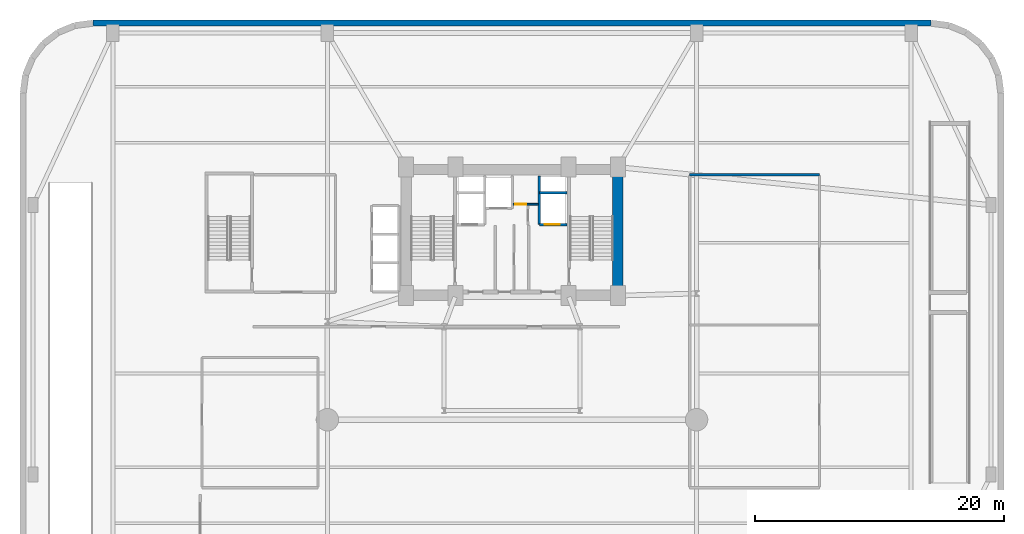
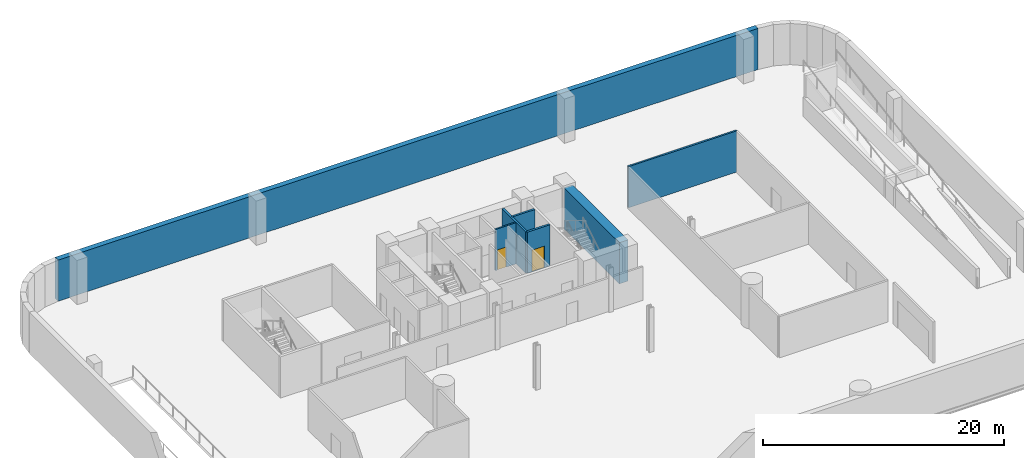
# One storey, part 4 of 8: 7 walls, 2 doors, 2 openings.
"""IFC4 building model written with IfcOpenShell, lengths in metres."""

from ifc_helpers import new_model, si_unit, direction, frame, frame_2d, origin, place, context, subcontext, project, spatial, rectangle, extrude, material, layer, layer_set, type_object, element, fill, save


model = new_model("IFC4")

# Units and contexts
model_context = context("Model", 3, precision=1e-05, world=origin(), true_north=direction((0.0, 1.0)))
body_context = subcontext(model_context, "Body", "Model", "MODEL_VIEW")
ifc_project = project(units=[si_unit("LENGTHUNIT", "METRE"), si_unit("AREAUNIT", "SQUARE_METRE"), si_unit("VOLUMEUNIT", "CUBIC_METRE"), si_unit("PLANEANGLEUNIT", "RADIAN"), si_unit("MASSUNIT", "GRAM", prefix="KILO")], contexts=[model_context])

# Site, building, storey
site_placement = place(None, origin())
site = spatial("IfcSite", under=ifc_project, at=site_placement, CompositionType="ELEMENT")
building_placement = place(site_placement, origin())
building = spatial("IfcBuilding", under=site, at=building_placement, Name="Varnelok Gate Tower", CompositionType="ELEMENT")
storey_placement = place(building_placement, frame((0.0, 0.0, -4.5)))
storey = spatial("IfcBuildingStorey", under=building, at=storey_placement, Name="B01", CompositionType="ELEMENT", Elevation=-4.5)

# Wall
ifc_material_1 = material(Name="Gypsum Plasterboard Acoustic Partition", Category="gypsum")
ifc_layer_1 = layer(ifc_material_1, 0.179931640625)
ifc_layer_set_1 = layer_set([ifc_layer_1], Name="Gypsum Plasterboard Acoustic Partition")
wall_type_1 = type_object("IfcWallType", Name="PW-CORR-180", PredefinedType="PARTITIONING", material=ifc_layer_set_1)
wall_1_placement = place(storey_placement, frame((53.449951171875, 38.449951171875, 0.0), z_axis=(0.0, 0.0, 1.0), x_axis=(1.0, 0.0, 0.0)))
element("IfcWall", 1, at=wall_1_placement, inside=storey, type_object=wall_type_1, Name="Interior Partition", PredefinedType="PARTITIONING", context=body_context, shape_type="SweptSolid", body=[
    extrude(rectangle(XDim=10.400146484375, YDim=0.179931640625, at=frame_2d((5.2001953125, 0.0))), origin(), (0.0, 0.0, 1.0), 4.179931640625),
])

# Wall, opening, door
ifc_layer_2 = layer(ifc_material_1, 0.14990234375)
ifc_layer_set_2 = layer_set([ifc_layer_2], Name="Gypsum Plasterboard Acoustic Partition")
wall_type_2 = type_object("IfcWallType", Name="PW-PART-150", PredefinedType="PARTITIONING", material=ifc_layer_set_2)
wall_2_placement = place(storey_placement, frame((39.300048828125, 36.080078125, 0.0), z_axis=(0.0, 0.0, 1.0), x_axis=(1.0, 0.0, 0.0)))
wall_2 = element("IfcWall", 2, at=wall_2_placement, inside=storey, type_object=wall_type_2, Name="B01 Electrical Closet South Wall", PredefinedType="PARTITIONING", context=body_context, shape_type="SweptSolid", body=[
    extrude(rectangle(XDim=2.02001953125, YDim=0.14990234375, at=frame_2d((1.010009765625, 0.0))), origin(), (0.0, 0.0, 1.0), 4.179931640625),
])
opening_1_placement = place(wall_2_placement, frame((0.179931640625, 0.0, 0.0)))
opening_1 = element("IfcOpeningElement", 3, at=opening_1_placement, cuts=wall_2, Name="Opening D-RS", PredefinedType="OPENING", context=body_context, shape_type="SweptSolid", body=[
    extrude(rectangle(XDim=0.85009765625, YDim=2.050048828125, at=frame_2d((0.425048828125, 1.02490234375))), frame((0.0, 0.0849609375, 0.0), z_axis=(0.0, -1.0, 0.0), x_axis=(1.0, 0.0, 0.0)), (0.0, 0.0, 1.0), 0.169921875),
])
ifc_material_2 = material(Name="Galvanized Steel Grade S350GD", Category="steel")
door_type_1 = type_object("IfcDoorType", Name="DR-RISER-850", OperationType="NOTDEFINED", PredefinedType="DOOR", material=ifc_material_2)
door_1_placement = place(opening_1_placement, origin())
door_1 = element("IfcDoor", 4, at=door_1_placement, inside=storey, type_object=door_type_1, Name="B01 Electrical Closet Door", OperationType="SINGLE_SWING_RIGHT", OverallHeight=2.050048828125, OverallWidth=0.85009765625, PredefinedType="DOOR", context=body_context, shape_type="SweptSolid", body=[
    extrude(rectangle(XDim=0.85009765625, YDim=2.050048828125, at=frame_2d((0.425048828125, 1.02490234375))), frame((0.0, 0.02490234375, 0.0), z_axis=(0.0, -1.0, 0.0), x_axis=(1.0, 0.0, 0.0)), (0.0, 0.0, 1.0), 0.050048828125),
])
fill(opening_1, door_1)

ifc_material_3 = material(Name="Concrete C35/45", Category="concrete")
ifc_layer_3 = layer(ifc_material_3, 0.199951171875)
ifc_layer_set_3 = layer_set([ifc_layer_3], Name="Concrete C35/45")
wall_type_3 = type_object("IfcWallType", Name="PW-SHAFT-200", PredefinedType="PARTITIONING", material=ifc_layer_set_3)
wall_3_placement = place(storey_placement, frame((41.419921875, 34.43994140625, 0.0), z_axis=(0.0, 0.0, 1.0), x_axis=(1.0, 0.0, 0.0)))
wall_3 = element("IfcWall", 5, at=wall_3_placement, inside=storey, type_object=wall_type_3, Name="B01 FF2 Shaft Front Wall", PredefinedType="PARTITIONING", context=body_context, shape_type="SweptSolid", body=[
    extrude(rectangle(XDim=2.18017578125, YDim=0.199951171875, at=frame_2d((1.090087890625, 0.0))), origin(), (0.0, 0.0, 1.0), 4.179931640625),
])
opening_2_placement = place(wall_3_placement, frame((0.419921875, 0.0, 0.0)))
opening_2 = element("IfcOpeningElement", 6, at=opening_2_placement, cuts=wall_3, Name="Opening LD-FF2", PredefinedType="OPENING", context=body_context, shape_type="SweptSolid", body=[
    extrude(rectangle(XDim=1.199951171875, YDim=2.199951171875, at=frame_2d((0.60009765625, 1.10009765625))), frame((0.0, 0.10986328125, 0.0), z_axis=(0.0, -1.0, 0.0), x_axis=(1.0, 0.0, 0.0)), (0.0, 0.0, 1.0), 0.219970703125),
])
door_type_2 = type_object("IfcDoorType", Name="DR-LIFT-FF1200", OperationType="SLIDING_TO_LEFT", PredefinedType="DOOR", material=ifc_material_2)
door_2_placement = place(opening_2_placement, origin())
door_2 = element("IfcDoor", 7, at=door_2_placement, inside=storey, type_object=door_type_2, Name="B01 Firefighting Lift Landing Door LD-FF2", OperationType="SLIDING_TO_LEFT", OverallHeight=2.199951171875, OverallWidth=1.199951171875, PredefinedType="DOOR", context=body_context, shape_type="SweptSolid", body=[
    extrude(rectangle(XDim=1.199951171875, YDim=2.199951171875, at=frame_2d((0.60009765625, 1.10009765625))), frame((0.0, 0.02490234375, 0.0), z_axis=(0.0, -1.0, 0.0), x_axis=(1.0, 0.0, 0.0)), (0.0, 0.0, 1.0), 0.050048828125),
])
fill(opening_2, door_2)

# Walls
wall_4_placement = place(storey_placement, frame((41.419921875, 36.97998046875, 0.0), z_axis=(0.0, 0.0, 1.0), x_axis=(1.0, 0.0, 0.0)))
element("IfcWall", 8, at=wall_4_placement, inside=storey, type_object=wall_type_3, Name="B01 FF2 Shaft North Wall", PredefinedType="PARTITIONING", context=body_context, shape_type="SweptSolid", body=[
    extrude(rectangle(XDim=2.18017578125, YDim=0.199951171875, at=frame_2d((1.090087890625, 0.0))), origin(), (0.0, 0.0, 1.0), 4.179931640625),
])
wall_5_placement = place(storey_placement, frame((41.39990234375, 34.43994140625, 0.0), z_axis=(0.0, 0.0, 1.0), x_axis=(0.0, 1.0, 0.0)))
element("IfcWall", 9, at=wall_5_placement, inside=storey, type_object=wall_type_3, Name="B01 FF2 Shaft Side Wall", PredefinedType="PARTITIONING", context=body_context, shape_type="SweptSolid", body=[
    extrude(rectangle(XDim=3.900146484375, YDim=0.199951171875, at=frame_2d((1.9501953125, 0.0))), origin(), (0.0, 0.0, 1.0), 4.179931640625),
])
ifc_material_4 = material(Name="Concrete C70/85", Category="concrete")
ifc_layer_4 = layer(ifc_material_4, 0.85009765625)
ifc_layer_set_4 = layer_set([ifc_layer_4], Name="Concrete C70/85")
wall_type_4 = type_object("IfcWallType", Name="SW-CORE-850", PredefinedType="SHEAR", material=ifc_layer_set_4)
wall_6_placement = place(storey_placement, frame((47.695068359375, 29.199951171875, 0.0), z_axis=(0.0, 0.0, 1.0), x_axis=(0.0, 1.0, 0.0)))
element("IfcWall", 10, at=wall_6_placement, inside=storey, type_object=wall_type_4, Name="B01 Rear Core East Shear Wall", PredefinedType="SHEAR", context=body_context, shape_type="SweptSolid", body=[
    extrude(rectangle(XDim=9.219970703125, YDim=0.85009765625, at=frame_2d((4.60986328125, 0.0))), origin(), (0.0, 0.0, 1.0), 4.179931640625),
])
ifc_material_5 = material(Name="Concrete C50/60", Category="concrete")
ifc_layer_5 = layer(ifc_material_5, 0.5)
ifc_layer_set_5 = layer_set([ifc_layer_5], Name="Concrete C50/60")
wall_type_5 = type_object("IfcWallType", Name="SW-RET-500", PredefinedType="SOLIDWALL", material=ifc_layer_set_5)
wall_7_placement = place(storey_placement, frame((5.60009765625, 50.60009765625, 0.0), z_axis=(0.0, 0.0, 1.0), x_axis=(1.0, 0.0, 0.0)))
element("IfcWall", 11, at=wall_7_placement, inside=storey, type_object=wall_type_5, Name="B01 Perimeter Retaining Wall 22", PredefinedType="SOLIDWALL", context=body_context, shape_type="SweptSolid", body=[
    extrude(rectangle(XDim=67.199951171875, YDim=0.5, at=frame_2d((33.60009765625, 0.0))), origin(), (0.0, 0.0, 1.0), 4.179931640625),
])

save(model, "model.ifc")
